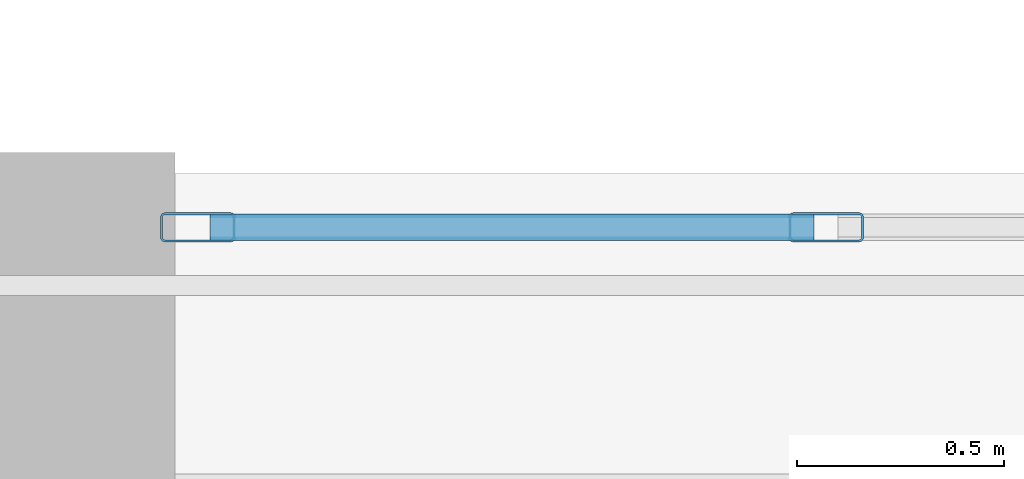
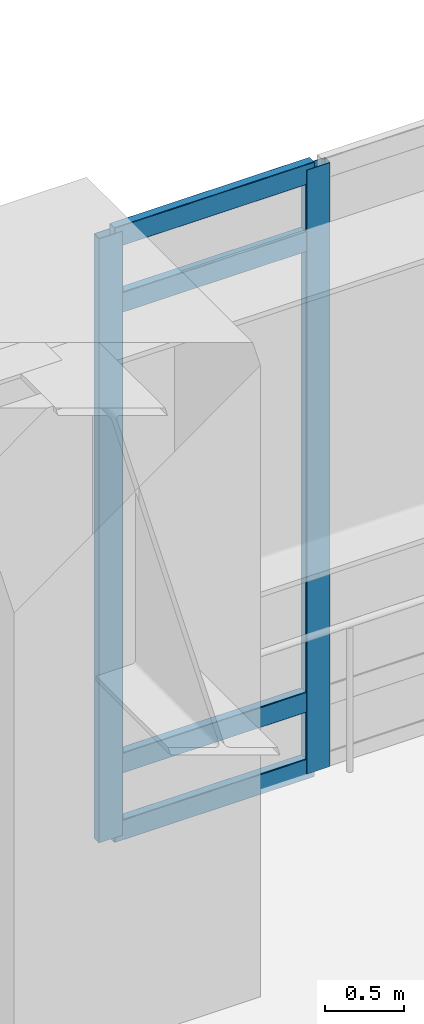
# One storey, part 4 of 25: 6 members, 1 element without a shape of its own.
"""IFC4 building model written with IfcOpenShell, lengths in metres."""

from ifc_helpers import new_model, si_unit, direction, frame, origin, origin_2d, place, context, subcontext, project, spatial, hollow_rectangle, extrude, material, layer, layer_set, material_profile, profile_set, type_object, element, aggregate, save


model = new_model("IFC4")

# Units and contexts
model_context = context("Model", 3, precision=1e-05, world=origin(), true_north=direction((0.0, 1.0)))
body_context = subcontext(model_context, "Body", "Model", "MODEL_VIEW")
ifc_project = project(units=[si_unit("LENGTHUNIT", "METRE"), si_unit("AREAUNIT", "SQUARE_METRE"), si_unit("VOLUMEUNIT", "CUBIC_METRE"), si_unit("PLANEANGLEUNIT", "RADIAN"), si_unit("MASSUNIT", "GRAM", prefix="KILO")], contexts=[model_context])

# Site, building, storey
site_placement = place(None, origin())
site = spatial("IfcSite", under=ifc_project, at=site_placement, CompositionType="ELEMENT")
building_placement = place(site_placement, origin())
building = spatial("IfcBuilding", under=site, at=building_placement, Name="Ndelora Gate Hotel", CompositionType="ELEMENT")
storey_placement = place(building_placement, frame((0.0, 0.0, 11.0)))
storey = spatial("IfcBuildingStorey", under=building, at=storey_placement, Name="L02", CompositionType="ELEMENT", Elevation=11.0)

# Curtain wall, members
ifc_material_1 = material(Name="Bronze Anodised Unitised Aluminium and Low-E Glass", Category="aluminium")
ifc_layer = layer(ifc_material_1, 0.239990234375)
ifc_layer_set = layer_set([ifc_layer], Name="Bronze Anodised Unitised Aluminium and Low-E Glass")
curtain_wall_type = type_object("IfcCurtainWallType", Name="CW-SYS-1", PredefinedType="NOTDEFINED", material=ifc_layer_set)
curtain_wall_placement = place(storey_placement, origin())
curtain_wall = element("IfcCurtainWall", 1, at=curtain_wall_placement, inside=storey, type_object=curtain_wall_type, Name="L02 North Portal Arch Concourse Curtain Wall CW1", PredefinedType="NOTDEFINED")
ifc_material_2 = material(Name="Bronze Anodised Aluminium 6063-T6", Category="aluminium")
ifc_material_profile_1 = material_profile(ifc_material_2, hollow_rectangle(XDim=0.070068359375, YDim=0.179931640625, WallThickness=0.0048828125, InnerFilletRadius=0.0048828125, OuterFilletRadius=0.010009765625, at=origin_2d()), Name="ALU 180x70x5")
ifc_profile_set_1 = profile_set([ifc_material_profile_1], Name="Bronze Anodised Aluminium 6063-T6")
member_type_1 = type_object("IfcMemberType", Name="MB-CW-MUL180", PredefinedType="MULLION", material=ifc_profile_set_1)
member_1_placement = place(storey_placement, frame((-8.529296875, 10.320068359375, -0.00390625), z_axis=(0.0, 0.0, 1.0), x_axis=(0.0, -1.0, 0.0)))
member_1 = element("IfcMember", 2, at=member_1_placement, type_object=member_type_1, Name="CW1 mullion 13", PredefinedType="MULLION", context=body_context, shape_type="SweptSolid", body=[
    extrude(hollow_rectangle(XDim=0.070068359375, YDim=0.179931640625, WallThickness=0.0048828125, InnerFilletRadius=0.0048828125, OuterFilletRadius=0.010009765625, at=origin_2d()), origin(), (0.0, 0.0, 1.0), 4.66796875),
])
member_2_placement = place(storey_placement, frame((-10.044921875, 10.320068359375, -0.00390625), z_axis=(0.0, 0.0, 1.0), x_axis=(0.0, -1.0, 0.0)))
member_2 = element("IfcMember", 3, at=member_2_placement, type_object=member_type_1, Name="CW1 mullion 14", PredefinedType="MULLION", context=body_context, shape_type="SweptSolid", body=[
    extrude(hollow_rectangle(XDim=0.070068359375, YDim=0.179931640625, WallThickness=0.0048828125, InnerFilletRadius=0.0048828125, OuterFilletRadius=0.010009765625, at=origin_2d()), origin(), (0.0, 0.0, 1.0), 4.66796875),
])
ifc_material_profile_2 = material_profile(ifc_material_2, hollow_rectangle(XDim=0.06494140625, YDim=0.159912109375, WallThickness=0.00390625, InnerFilletRadius=0.00390625, OuterFilletRadius=0.008056640625, at=origin_2d()), Name="ALU 160x65x4")
ifc_profile_set_2 = profile_set([ifc_material_profile_2], Name="Bronze Anodised Aluminium 6063-T6")
member_type_2 = type_object("IfcMemberType", Name="MB-CW-TRN150", PredefinedType="USERDEFINED", material=ifc_profile_set_2)
member_3_placement = place(storey_placement, frame((-8.558349609375, 10.320068359375, 0.032470703125), z_axis=(-1.0, 0.0, 0.0), x_axis=(0.0, -1.0, 0.0)))
member_3 = element("IfcMember", 4, at=member_3_placement, type_object=member_type_2, Name="CW1 transom 13.1", ObjectType="TRANSOM", PredefinedType="USERDEFINED", context=body_context, shape_type="SweptSolid", body=[
    extrude(hollow_rectangle(XDim=0.06494140625, YDim=0.159912109375, WallThickness=0.00390625, InnerFilletRadius=0.00390625, OuterFilletRadius=0.008056640625, at=origin_2d()), origin(), (0.0, 0.0, 1.0), 1.457763671875),
])
member_4_placement = place(storey_placement, frame((-8.558349609375, 10.320068359375, 0.550048828125), z_axis=(-1.0, 0.0, 0.0), x_axis=(0.0, -1.0, 0.0)))
member_4 = element("IfcMember", 5, at=member_4_placement, type_object=member_type_2, Name="CW1 transom 13.2", ObjectType="TRANSOM", PredefinedType="USERDEFINED", context=body_context, shape_type="SweptSolid", body=[
    extrude(hollow_rectangle(XDim=0.06494140625, YDim=0.159912109375, WallThickness=0.00390625, InnerFilletRadius=0.00390625, OuterFilletRadius=0.008056640625, at=origin_2d()), origin(), (0.0, 0.0, 1.0), 1.457763671875),
])
member_5_placement = place(storey_placement, frame((-8.558349609375, 10.320068359375, 4.110107421875), z_axis=(-1.0, 0.0, 0.0), x_axis=(0.0, -1.0, 0.0)))
member_5 = element("IfcMember", 6, at=member_5_placement, type_object=member_type_2, Name="CW1 transom 13.3", ObjectType="TRANSOM", PredefinedType="USERDEFINED", context=body_context, shape_type="SweptSolid", body=[
    extrude(hollow_rectangle(XDim=0.06494140625, YDim=0.159912109375, WallThickness=0.00390625, InnerFilletRadius=0.00390625, OuterFilletRadius=0.008056640625, at=origin_2d()), origin(), (0.0, 0.0, 1.0), 1.457763671875),
])
member_6_placement = place(storey_placement, frame((-8.558349609375, 10.320068359375, 4.62744140625), z_axis=(-1.0, 0.0, 0.0), x_axis=(0.0, -1.0, 0.0)))
member_6 = element("IfcMember", 7, at=member_6_placement, type_object=member_type_2, Name="CW1 transom 13.4", ObjectType="TRANSOM", PredefinedType="USERDEFINED", context=body_context, shape_type="SweptSolid", body=[
    extrude(hollow_rectangle(XDim=0.06494140625, YDim=0.159912109375, WallThickness=0.00390625, InnerFilletRadius=0.00390625, OuterFilletRadius=0.008056640625, at=origin_2d()), origin(), (0.0, 0.0, 1.0), 1.457763671875),
])
aggregate(curtain_wall, [member_1, member_2, member_3, member_4, member_5, member_6])

save(model, "model.ifc")
